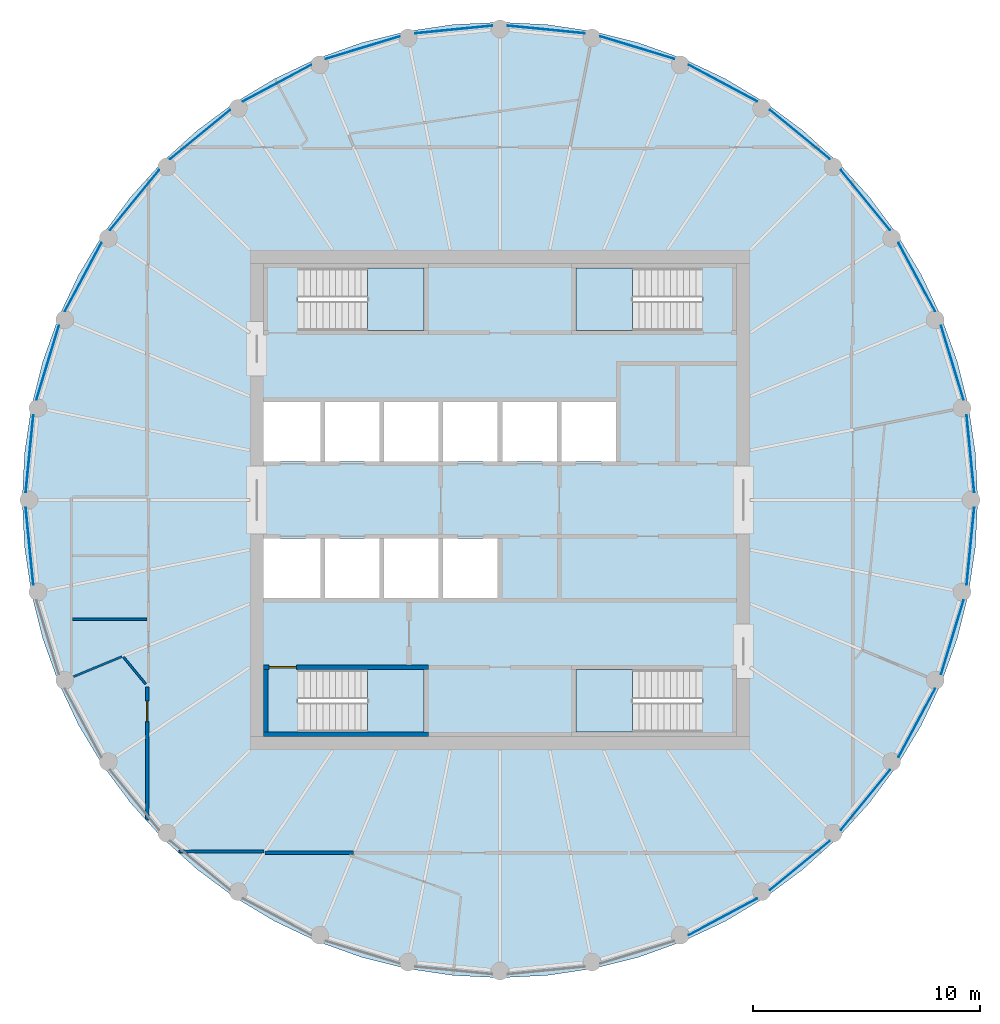
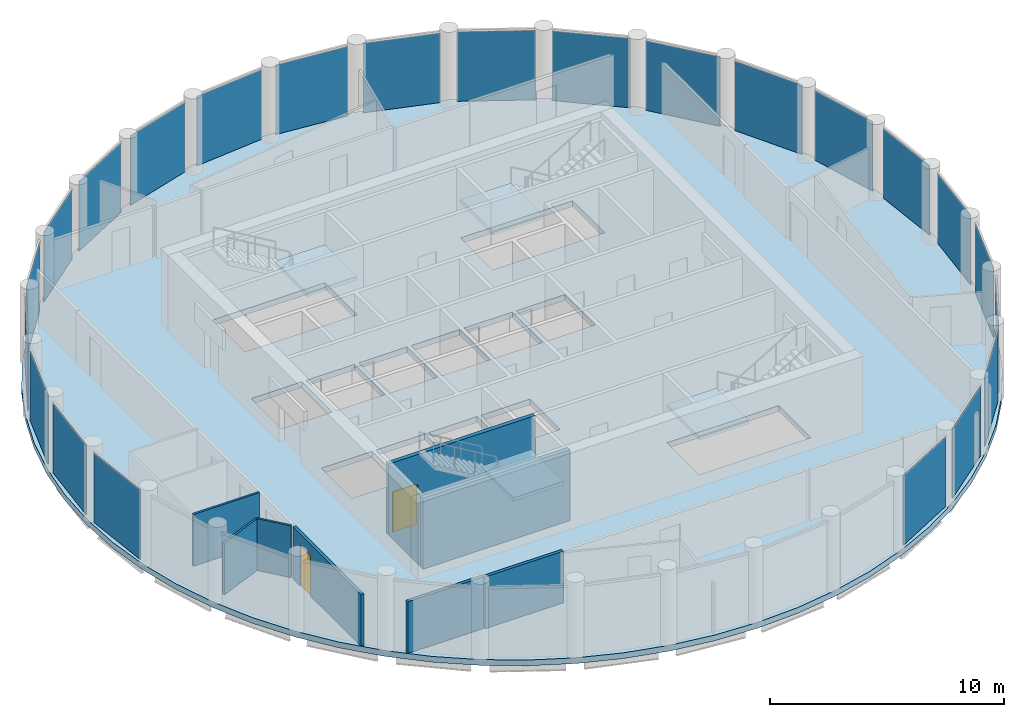
# One storey, part 3 of 7: 23 plates, 9 walls, 5 slabs, 2 doors, 2 openings, 27 elements without a shape of their own.
"""IFC4 building model written with IfcOpenShell, lengths in metres."""

from ifc_helpers import new_model, si_unit, direction, frame, frame_2d, origin, origin_2d, place, context, subcontext, project, spatial, polyline, rectangle, outline, extrude, material, layer, layer_set, type_object, element, fill, aggregate, save


model = new_model("IFC4")

# Units and contexts
model_context = context("Model", 3, precision=1e-05, world=origin(), true_north=direction((0.0, 1.0)))
body_context = subcontext(model_context, "Body", "Model", "MODEL_VIEW")
ifc_project = project(units=[si_unit("LENGTHUNIT", "METRE"), si_unit("AREAUNIT", "SQUARE_METRE"), si_unit("VOLUMEUNIT", "CUBIC_METRE"), si_unit("PLANEANGLEUNIT", "RADIAN"), si_unit("MASSUNIT", "GRAM", prefix="KILO")], contexts=[model_context])

# Site, building, storey
site_placement = place(None, origin())
site = spatial("IfcSite", under=ifc_project, at=site_placement, CompositionType="ELEMENT")
building_placement = place(site_placement, origin())
building = spatial("IfcBuilding", under=site, at=building_placement, Name="Corvane Civic Tower", CompositionType="ELEMENT")
storey_placement = place(building_placement, frame((0.0, 0.0, 344.5)))
storey = spatial("IfcBuildingStorey", under=building, at=storey_placement, Name="L82", CompositionType="ELEMENT", Elevation=344.5)

# Slab
ifc_material_1 = material(Name="Concrete C40/50", Category="concrete")
ifc_layer_1 = layer(ifc_material_1, 0.300048828125)
ifc_layer_set_1 = layer_set([ifc_layer_1], Name="Concrete C40/50")
slab_type_1 = type_object("IfcSlabType", Name="FLOOR SLAB 300", PredefinedType="FLOOR", material=ifc_layer_set_1)
slab_1_placement = place(storey_placement, frame((0.0, 0.0, -0.300048828125)))
element("IfcSlab", 1, at=slab_1_placement, inside=storey, type_object=slab_type_1, Name="SLB-L82", PredefinedType="FLOOR", context=body_context, shape_type="SweptSolid", body=[
    extrude(outline(polyline([(0.0, 21.0), (-2.058349609375, 20.89892578125), (-4.096923828125, 20.596435546875), (-6.095947265625, 20.095703125), (-8.036376953125, 19.4013671875), (-9.8994140625, 18.520263671875), (-11.6669921875, 17.4609375), (-13.322265625, 16.233154296875), (-14.84912109375, 14.84912109375), (-16.233154296875, 13.322265625), (-17.4609375, 11.6669921875), (-18.520263671875, 9.8994140625), (-19.4013671875, 8.036376953125), (-20.095703125, 6.095947265625), (-20.596435546875, 4.096923828125), (-20.89892578125, 2.058349609375), (-21.0, 0.0), (-20.89892578125, -2.058349609375), (-20.596435546875, -4.096923828125), (-20.095703125, -6.095947265625), (-19.4013671875, -8.036376953125), (-18.520263671875, -9.8994140625), (-17.4609375, -11.6669921875), (-16.233154296875, -13.322265625), (-14.84912109375, -14.84912109375), (-13.322265625, -16.233154296875), (-11.6669921875, -17.4609375), (-9.8994140625, -18.520263671875), (-8.036376953125, -19.4013671875), (-6.095947265625, -20.095703125), (-4.096923828125, -20.596435546875), (-2.058349609375, -20.89892578125), (0.0, -21.0), (2.058349609375, -20.89892578125), (4.096923828125, -20.596435546875), (6.095947265625, -20.095703125), (8.036376953125, -19.4013671875), (9.8994140625, -18.520263671875), (11.6669921875, -17.4609375), (13.322265625, -16.233154296875), (14.84912109375, -14.84912109375), (16.233154296875, -13.322265625), (17.4609375, -11.6669921875), (18.520263671875, -9.8994140625), (19.4013671875, -8.036376953125), (20.095703125, -6.095947265625), (20.596435546875, -4.096923828125), (20.89892578125, -2.058349609375), (21.0, 0.0), (20.89892578125, 2.058349609375), (20.596435546875, 4.096923828125), (20.095703125, 6.095947265625), (19.4013671875, 8.036376953125), (18.520263671875, 9.8994140625), (17.4609375, 11.6669921875), (16.233154296875, 13.322265625), (14.84912109375, 14.84912109375), (13.322265625, 16.233154296875), (11.6669921875, 17.4609375), (9.8994140625, 18.520263671875), (8.036376953125, 19.4013671875), (6.095947265625, 20.095703125), (4.096923828125, 20.596435546875), (2.058349609375, 20.89892578125), (0.0, 21.0)]), holes=[polyline([(-10.39990234375, 4.300048828125), (-7.89990234375, 4.300048828125), (-7.89990234375, 1.699951171875), (-10.39990234375, 1.699951171875), (-10.39990234375, 4.300048828125)]), polyline([(-5.300048828125, 1.699951171875), (-7.699951171875, 1.699951171875), (-7.699951171875, 4.300048828125), (-5.300048828125, 4.300048828125), (-5.300048828125, 1.699951171875)]), polyline([(-5.10009765625, 4.300048828125), (-2.699951171875, 4.300048828125), (-2.699951171875, 1.699951171875), (-5.10009765625, 1.699951171875), (-5.10009765625, 4.300048828125)]), polyline([(-0.10009765625, 1.699951171875), (-2.5, 1.699951171875), (-2.5, 4.300048828125), (-0.10009765625, 4.300048828125), (-0.10009765625, 1.699951171875)]), polyline([(2.5, 1.699951171875), (0.10009765625, 1.699951171875), (0.10009765625, 4.300048828125), (2.5, 4.300048828125), (2.5, 1.699951171875)]), polyline([(2.699951171875, 4.300048828125), (5.10009765625, 4.300048828125), (5.10009765625, 1.699951171875), (2.699951171875, 1.699951171875), (2.699951171875, 4.300048828125)]), polyline([(-10.39990234375, -1.699951171875), (-7.89990234375, -1.699951171875), (-7.89990234375, -4.300048828125), (-10.39990234375, -4.300048828125), (-10.39990234375, -1.699951171875)]), polyline([(-5.300048828125, -1.699951171875), (-5.300048828125, -4.300048828125), (-7.699951171875, -4.300048828125), (-7.699951171875, -1.699951171875), (-5.300048828125, -1.699951171875)]), polyline([(-2.699951171875, -1.699951171875), (-2.699951171875, -4.300048828125), (-5.10009765625, -4.300048828125), (-5.10009765625, -1.699951171875), (-2.699951171875, -1.699951171875)]), polyline([(-2.5, -4.300048828125), (-2.5, -1.699951171875), (-0.10009765625, -1.699951171875), (-0.10009765625, -4.300048828125), (-2.5, -4.300048828125)]), polyline([(8.889892578125, 10.199951171875), (8.889892578125, 7.449951171875), (3.35009765625, 7.449951171875), (3.35009765625, 10.199951171875), (8.889892578125, 10.199951171875)]), polyline([(-8.889892578125, 7.449951171875), (-8.889892578125, 10.199951171875), (-3.35009765625, 10.199951171875), (-3.35009765625, 7.449951171875), (-8.889892578125, 7.449951171875)]), polyline([(8.889892578125, -7.449951171875), (8.889892578125, -10.199951171875), (3.35009765625, -10.199951171875), (3.35009765625, -7.449951171875), (8.889892578125, -7.449951171875)]), polyline([(-8.889892578125, -10.199951171875), (-8.889892578125, -7.449951171875), (-3.35009765625, -7.449951171875), (-3.35009765625, -10.199951171875), (-8.889892578125, -10.199951171875)])]), origin(), (0.0, 0.0, 1.0), 0.300048828125),
])

# Stair, slab
ifc_material_2 = material(Name="Concrete C40/50", Category="concrete")
stair_type = type_object("IfcStairType", Name="ST-STAIR-HALFTURN", PredefinedType="HALF_TURN_STAIR", material=ifc_material_2)
stair_1_placement = place(storey_placement, origin())
stair_1 = element("IfcStair", 2, at=stair_1_placement, inside=storey, type_object=stair_type, Name="L82 Exit stair ST1", PredefinedType="HALF_TURN_STAIR")
ifc_material_3 = material(Name="Concrete C40/50", Category="concrete")
ifc_layer_2 = layer(ifc_material_3, 0.199951171875)
ifc_layer_set_2 = layer_set([ifc_layer_2], Name="Concrete C40/50")
slab_type_2 = type_object("IfcSlabType", Name="ST-LANDING-RC", PredefinedType="LANDING", material=ifc_layer_set_2)
slab_2_placement = place(storey_placement, frame((0.0, 0.0, 1.800048828125)))
slab_2 = element("IfcSlab", 3, at=slab_2_placement, type_object=slab_type_2, Name="ST1 landing 1", PredefinedType="LANDING", context=body_context, shape_type="SweptSolid", body=[
    extrude(outline(polyline([(5.820068359375, 10.199951171875), (3.35009765625, 10.199951171875), (3.35009765625, 7.449951171875), (5.820068359375, 7.449951171875), (5.820068359375, 10.199951171875)])), origin(), (0.0, 0.0, 1.0), 0.199951171875),
])
aggregate(stair_1, [slab_2])

stair_2_placement = place(storey_placement, origin())
stair_2 = element("IfcStair", 4, at=stair_2_placement, inside=storey, type_object=stair_type, Name="L82 Exit stair ST2", PredefinedType="HALF_TURN_STAIR")
slab_3_placement = place(storey_placement, frame((0.0, 0.0, 1.800048828125)))
slab_3 = element("IfcSlab", 5, at=slab_3_placement, type_object=slab_type_2, Name="ST2 landing 1", PredefinedType="LANDING", context=body_context, shape_type="SweptSolid", body=[
    extrude(outline(polyline([(5.820068359375, -7.449951171875), (3.35009765625, -7.449951171875), (3.35009765625, -10.199951171875), (5.820068359375, -10.199951171875), (5.820068359375, -7.449951171875)])), origin(), (0.0, 0.0, 1.0), 0.199951171875),
])
aggregate(stair_2, [slab_3])

stair_3_placement = place(storey_placement, origin())
stair_3 = element("IfcStair", 6, at=stair_3_placement, inside=storey, type_object=stair_type, Name="L82 Exit stair ST3", PredefinedType="HALF_TURN_STAIR")
slab_4_placement = place(storey_placement, frame((0.0, 0.0, 1.800048828125)))
slab_4 = element("IfcSlab", 7, at=slab_4_placement, type_object=slab_type_2, Name="ST3 landing 1", PredefinedType="LANDING", context=body_context, shape_type="SweptSolid", body=[
    extrude(outline(polyline([(-5.820068359375, -10.199951171875), (-3.35009765625, -10.199951171875), (-3.35009765625, -7.449951171875), (-5.820068359375, -7.449951171875), (-5.820068359375, -10.199951171875)])), origin(), (0.0, 0.0, 1.0), 0.199951171875),
])
aggregate(stair_3, [slab_4])

stair_4_placement = place(storey_placement, origin())
stair_4 = element("IfcStair", 8, at=stair_4_placement, inside=storey, type_object=stair_type, Name="L82 Exit stair ST4", PredefinedType="HALF_TURN_STAIR")
slab_5_placement = place(storey_placement, frame((0.0, 0.0, 1.800048828125)))
slab_5 = element("IfcSlab", 9, at=slab_5_placement, type_object=slab_type_2, Name="ST4 landing 1", PredefinedType="LANDING", context=body_context, shape_type="SweptSolid", body=[
    extrude(outline(polyline([(-5.820068359375, 7.449951171875), (-3.35009765625, 7.449951171875), (-3.35009765625, 10.199951171875), (-5.820068359375, 10.199951171875), (-5.820068359375, 7.449951171875)])), origin(), (0.0, 0.0, 1.0), 0.199951171875),
])
aggregate(stair_4, [slab_5])

# Curtain wall, plate
ifc_material_4 = material(Name="Anodised aluminium bronze", Category="aluminium")
curtain_wall_type = type_object("IfcCurtainWallType", Name="TOWER CW-T3 STICK CURTAIN WALL", PredefinedType="NOTDEFINED", material=ifc_material_4)
curtain_wall_1_placement = place(storey_placement, origin())
curtain_wall_1 = element("IfcCurtainWall", 10, at=curtain_wall_1_placement, inside=storey, type_object=curtain_wall_type, Name="Curtain wall CW-T3 L82 bay 01", PredefinedType="NOTDEFINED")
ifc_material_5 = material(Name="Tinted glass", Category="glass")
ifc_layer_3 = layer(ifc_material_5, 0.028076171875)
ifc_layer_set_3 = layer_set([ifc_layer_3], Name="Tinted glass")
plate_type = type_object("IfcPlateType", Name="TOWER CW-T3 PANEL IGU28", PredefinedType="CURTAIN_PANEL", material=ifc_layer_set_3)
plate_1_placement = place(storey_placement, frame((2.03662109375, 20.679443359375, 0.0), z_axis=(0.0, 0.0, 1.0), x_axis=(0.995186641028, -0.097997701601, 0.0)))
plate_1 = element("IfcPlate", 11, at=plate_1_placement, type_object=plate_type, Name="Glass panel CW-T3 L82 01.1", PredefinedType="CURTAIN_PANEL", context=body_context, shape_type="SweptSolid", body=[
    extrude(rectangle(XDim=3.402587890625, YDim=0.028076171875, at=origin_2d()), origin(), (0.0, 0.0, 1.0), 3.6298828125),
])
aggregate(curtain_wall_1, [plate_1])

curtain_wall_2_placement = place(storey_placement, origin())
curtain_wall_2 = element("IfcCurtainWall", 12, at=curtain_wall_2_placement, inside=storey, type_object=curtain_wall_type, Name="Curtain wall CW-T3 L82 bay 02", PredefinedType="NOTDEFINED")
plate_2_placement = place(storey_placement, frame((6.031982421875, 19.884765625, 0.0), z_axis=(0.0, 0.0, 1.0), x_axis=(0.956938582641, -0.290290456359, 0.0)))
plate_2 = element("IfcPlate", 13, at=plate_2_placement, type_object=plate_type, Name="Glass panel CW-T3 L82 02.1", PredefinedType="CURTAIN_PANEL", context=body_context, shape_type="SweptSolid", body=[
    extrude(rectangle(XDim=3.40283203125, YDim=0.028076171875, at=origin_2d()), origin(), (0.0, 0.0, 1.0), 3.6298828125),
])
aggregate(curtain_wall_2, [plate_2])

curtain_wall_3_placement = place(storey_placement, origin())
curtain_wall_3 = element("IfcCurtainWall", 14, at=curtain_wall_3_placement, inside=storey, type_object=curtain_wall_type, Name="Curtain wall CW-T3 L82 bay 03", PredefinedType="NOTDEFINED")
plate_3_placement = place(storey_placement, frame((9.79541015625, 18.325927734375, 0.0), z_axis=(0.0, 0.0, 1.0), x_axis=(0.88192824848, -0.471383670202, 0.0)))
plate_3 = element("IfcPlate", 15, at=plate_3_placement, type_object=plate_type, Name="Glass panel CW-T3 L82 03.1", PredefinedType="CURTAIN_PANEL", context=body_context, shape_type="SweptSolid", body=[
    extrude(rectangle(XDim=3.40234375, YDim=0.028076171875, at=origin_2d()), origin(), (0.0, 0.0, 1.0), 3.6298828125),
])
aggregate(curtain_wall_3, [plate_3])

curtain_wall_4_placement = place(storey_placement, origin())
curtain_wall_4 = element("IfcCurtainWall", 16, at=curtain_wall_4_placement, inside=storey, type_object=curtain_wall_type, Name="Curtain wall CW-T3 L82 bay 04", PredefinedType="NOTDEFINED")
plate_4_placement = place(storey_placement, frame((13.182373046875, 16.062744140625, 0.0), z_axis=(0.0, 0.0, 1.0), x_axis=(0.773010369391, -0.634393386484, 0.0)))
plate_4 = element("IfcPlate", 17, at=plate_4_placement, type_object=plate_type, Name="Glass panel CW-T3 L82 04.1", PredefinedType="CURTAIN_PANEL", context=body_context, shape_type="SweptSolid", body=[
    extrude(rectangle(XDim=3.402587890625, YDim=0.028076171875, at=origin_2d()), origin(), (0.0, 0.0, 1.0), 3.6298828125),
])
aggregate(curtain_wall_4, [plate_4])

curtain_wall_5_placement = place(storey_placement, origin())
curtain_wall_5 = element("IfcCurtainWall", 18, at=curtain_wall_5_placement, inside=storey, type_object=curtain_wall_type, Name="Curtain wall CW-T3 L82 bay 05", PredefinedType="NOTDEFINED")
plate_5_placement = place(storey_placement, frame((16.062744140625, 13.182373046875, 0.0), z_axis=(0.0, 0.0, 1.0), x_axis=(0.634393386484, -0.773010369391, 0.0)))
plate_5 = element("IfcPlate", 19, at=plate_5_placement, type_object=plate_type, Name="Glass panel CW-T3 L82 05.1", PredefinedType="CURTAIN_PANEL", context=body_context, shape_type="SweptSolid", body=[
    extrude(rectangle(XDim=3.402587890625, YDim=0.028076171875, at=origin_2d()), origin(), (0.0, 0.0, 1.0), 3.6298828125),
])
aggregate(curtain_wall_5, [plate_5])

curtain_wall_6_placement = place(storey_placement, origin())
curtain_wall_6 = element("IfcCurtainWall", 20, at=curtain_wall_6_placement, inside=storey, type_object=curtain_wall_type, Name="Curtain wall CW-T3 L82 bay 06", PredefinedType="NOTDEFINED")
plate_6_placement = place(storey_placement, frame((18.325927734375, 9.79541015625, 0.0), z_axis=(0.0, 0.0, 1.0), x_axis=(0.471383670202, -0.88192824848, 0.0)))
plate_6 = element("IfcPlate", 21, at=plate_6_placement, type_object=plate_type, Name="Glass panel CW-T3 L82 06.1", PredefinedType="CURTAIN_PANEL", context=body_context, shape_type="SweptSolid", body=[
    extrude(rectangle(XDim=3.40234375, YDim=0.028076171875, at=origin_2d()), origin(), (0.0, 0.0, 1.0), 3.6298828125),
])
aggregate(curtain_wall_6, [plate_6])

curtain_wall_7_placement = place(storey_placement, origin())
curtain_wall_7 = element("IfcCurtainWall", 22, at=curtain_wall_7_placement, inside=storey, type_object=curtain_wall_type, Name="Curtain wall CW-T3 L82 bay 07", PredefinedType="NOTDEFINED")
plate_7_placement = place(storey_placement, frame((19.884765625, 6.031982421875, 0.0), z_axis=(0.0, 0.0, 1.0), x_axis=(0.290290456359, -0.956938582641, 0.0)))
plate_7 = element("IfcPlate", 23, at=plate_7_placement, type_object=plate_type, Name="Glass panel CW-T3 L82 07.1", PredefinedType="CURTAIN_PANEL", context=body_context, shape_type="SweptSolid", body=[
    extrude(rectangle(XDim=3.40283203125, YDim=0.028076171875, at=origin_2d()), origin(), (0.0, 0.0, 1.0), 3.6298828125),
])
aggregate(curtain_wall_7, [plate_7])

curtain_wall_8_placement = place(storey_placement, origin())
curtain_wall_8 = element("IfcCurtainWall", 24, at=curtain_wall_8_placement, inside=storey, type_object=curtain_wall_type, Name="Curtain wall CW-T3 L82 bay 08", PredefinedType="NOTDEFINED")
plate_8_placement = place(storey_placement, frame((20.679443359375, 2.03662109375, 0.0), z_axis=(0.0, 0.0, 1.0), x_axis=(0.097997701601, -0.995186641028, 0.0)))
plate_8 = element("IfcPlate", 25, at=plate_8_placement, type_object=plate_type, Name="Glass panel CW-T3 L82 08.1", PredefinedType="CURTAIN_PANEL", context=body_context, shape_type="SweptSolid", body=[
    extrude(rectangle(XDim=3.402587890625, YDim=0.028076171875, at=origin_2d()), origin(), (0.0, 0.0, 1.0), 3.6298828125),
])
aggregate(curtain_wall_8, [plate_8])

curtain_wall_9_placement = place(storey_placement, origin())
curtain_wall_9 = element("IfcCurtainWall", 26, at=curtain_wall_9_placement, inside=storey, type_object=curtain_wall_type, Name="Curtain wall CW-T3 L82 bay 09", PredefinedType="NOTDEFINED")
plate_9_placement = place(storey_placement, frame((20.679443359375, -2.03662109375, 0.0), z_axis=(0.0, 0.0, 1.0), x_axis=(-0.097997701601, -0.995186641028, 0.0)))
plate_9 = element("IfcPlate", 27, at=plate_9_placement, type_object=plate_type, Name="Glass panel CW-T3 L82 09.1", PredefinedType="CURTAIN_PANEL", context=body_context, shape_type="SweptSolid", body=[
    extrude(rectangle(XDim=3.402587890625, YDim=0.028076171875, at=origin_2d()), origin(), (0.0, 0.0, 1.0), 3.6298828125),
])
aggregate(curtain_wall_9, [plate_9])

curtain_wall_10_placement = place(storey_placement, origin())
curtain_wall_10 = element("IfcCurtainWall", 28, at=curtain_wall_10_placement, inside=storey, type_object=curtain_wall_type, Name="Curtain wall CW-T3 L82 bay 10", PredefinedType="NOTDEFINED")
plate_10_placement = place(storey_placement, frame((19.884765625, -6.031982421875, 0.0), z_axis=(0.0, 0.0, 1.0), x_axis=(-0.290290456359, -0.956938582641, 0.0)))
plate_10 = element("IfcPlate", 29, at=plate_10_placement, type_object=plate_type, Name="Glass panel CW-T3 L82 10.1", PredefinedType="CURTAIN_PANEL", context=body_context, shape_type="SweptSolid", body=[
    extrude(rectangle(XDim=3.40283203125, YDim=0.028076171875, at=origin_2d()), origin(), (0.0, 0.0, 1.0), 3.6298828125),
])
aggregate(curtain_wall_10, [plate_10])

curtain_wall_11_placement = place(storey_placement, origin())
curtain_wall_11 = element("IfcCurtainWall", 30, at=curtain_wall_11_placement, inside=storey, type_object=curtain_wall_type, Name="Curtain wall CW-T3 L82 bay 11", PredefinedType="NOTDEFINED")
plate_11_placement = place(storey_placement, frame((18.325927734375, -9.79541015625, 0.0), z_axis=(0.0, 0.0, 1.0), x_axis=(-0.471383670202, -0.88192824848, 0.0)))
plate_11 = element("IfcPlate", 31, at=plate_11_placement, type_object=plate_type, Name="Glass panel CW-T3 L82 11.1", PredefinedType="CURTAIN_PANEL", context=body_context, shape_type="SweptSolid", body=[
    extrude(rectangle(XDim=3.40234375, YDim=0.028076171875, at=origin_2d()), origin(), (0.0, 0.0, 1.0), 3.6298828125),
])
aggregate(curtain_wall_11, [plate_11])

curtain_wall_12_placement = place(storey_placement, origin())
curtain_wall_12 = element("IfcCurtainWall", 32, at=curtain_wall_12_placement, inside=storey, type_object=curtain_wall_type, Name="Curtain wall CW-T3 L82 bay 12", PredefinedType="NOTDEFINED")
plate_12_placement = place(storey_placement, frame((16.062744140625, -13.182373046875, 0.0), z_axis=(0.0, 0.0, 1.0), x_axis=(-0.634393386484, -0.773010369391, 0.0)))
plate_12 = element("IfcPlate", 33, at=plate_12_placement, type_object=plate_type, Name="Glass panel CW-T3 L82 12.1", PredefinedType="CURTAIN_PANEL", context=body_context, shape_type="SweptSolid", body=[
    extrude(rectangle(XDim=3.402587890625, YDim=0.028076171875, at=origin_2d()), origin(), (0.0, 0.0, 1.0), 3.6298828125),
])
aggregate(curtain_wall_12, [plate_12])

curtain_wall_13_placement = place(storey_placement, origin())
curtain_wall_13 = element("IfcCurtainWall", 34, at=curtain_wall_13_placement, inside=storey, type_object=curtain_wall_type, Name="Curtain wall CW-T3 L82 bay 13", PredefinedType="NOTDEFINED")
plate_13_placement = place(storey_placement, frame((13.182373046875, -16.062744140625, 0.0), z_axis=(0.0, 0.0, 1.0), x_axis=(-0.773010369391, -0.634393386484, 0.0)))
plate_13 = element("IfcPlate", 35, at=plate_13_placement, type_object=plate_type, Name="Glass panel CW-T3 L82 13.1", PredefinedType="CURTAIN_PANEL", context=body_context, shape_type="SweptSolid", body=[
    extrude(rectangle(XDim=3.402587890625, YDim=0.028076171875, at=origin_2d()), origin(), (0.0, 0.0, 1.0), 3.6298828125),
])
aggregate(curtain_wall_13, [plate_13])

curtain_wall_14_placement = place(storey_placement, origin())
curtain_wall_14 = element("IfcCurtainWall", 36, at=curtain_wall_14_placement, inside=storey, type_object=curtain_wall_type, Name="Curtain wall CW-T3 L82 bay 14", PredefinedType="NOTDEFINED")
plate_14_placement = place(storey_placement, frame((9.79541015625, -18.325927734375, 0.0), z_axis=(0.0, 0.0, 1.0), x_axis=(-0.88192824848, -0.471383670202, 0.0)))
plate_14 = element("IfcPlate", 37, at=plate_14_placement, type_object=plate_type, Name="Glass panel CW-T3 L82 14.1", PredefinedType="CURTAIN_PANEL", context=body_context, shape_type="SweptSolid", body=[
    extrude(rectangle(XDim=3.40234375, YDim=0.028076171875, at=origin_2d()), origin(), (0.0, 0.0, 1.0), 3.6298828125),
])
aggregate(curtain_wall_14, [plate_14])

curtain_wall_15_placement = place(storey_placement, origin())
curtain_wall_15 = element("IfcCurtainWall", 38, at=curtain_wall_15_placement, inside=storey, type_object=curtain_wall_type, Name="Curtain wall CW-T3 L82 bay 24", PredefinedType="NOTDEFINED")
plate_15_placement = place(storey_placement, frame((-20.679443359375, -2.03662109375, 0.0), z_axis=(0.0, 0.0, 1.0), x_axis=(-0.097997701601, 0.995186641028, 0.0)))
plate_15 = element("IfcPlate", 39, at=plate_15_placement, type_object=plate_type, Name="Glass panel CW-T3 L82 24.1", PredefinedType="CURTAIN_PANEL", context=body_context, shape_type="SweptSolid", body=[
    extrude(rectangle(XDim=3.402587890625, YDim=0.028076171875, at=origin_2d()), origin(), (0.0, 0.0, 1.0), 3.6298828125),
])
aggregate(curtain_wall_15, [plate_15])

curtain_wall_16_placement = place(storey_placement, origin())
curtain_wall_16 = element("IfcCurtainWall", 40, at=curtain_wall_16_placement, inside=storey, type_object=curtain_wall_type, Name="Curtain wall CW-T3 L82 bay 25", PredefinedType="NOTDEFINED")
plate_16_placement = place(storey_placement, frame((-20.679443359375, 2.03662109375, 0.0), z_axis=(0.0, 0.0, 1.0), x_axis=(0.097997701601, 0.995186641028, 0.0)))
plate_16 = element("IfcPlate", 41, at=plate_16_placement, type_object=plate_type, Name="Glass panel CW-T3 L82 25.1", PredefinedType="CURTAIN_PANEL", context=body_context, shape_type="SweptSolid", body=[
    extrude(rectangle(XDim=3.402587890625, YDim=0.028076171875, at=origin_2d()), origin(), (0.0, 0.0, 1.0), 3.6298828125),
])
aggregate(curtain_wall_16, [plate_16])

curtain_wall_17_placement = place(storey_placement, origin())
curtain_wall_17 = element("IfcCurtainWall", 42, at=curtain_wall_17_placement, inside=storey, type_object=curtain_wall_type, Name="Curtain wall CW-T3 L82 bay 26", PredefinedType="NOTDEFINED")
plate_17_placement = place(storey_placement, frame((-19.884765625, 6.031982421875, 0.0), z_axis=(0.0, 0.0, 1.0), x_axis=(0.290290456359, 0.956938582641, 0.0)))
plate_17 = element("IfcPlate", 43, at=plate_17_placement, type_object=plate_type, Name="Glass panel CW-T3 L82 26.1", PredefinedType="CURTAIN_PANEL", context=body_context, shape_type="SweptSolid", body=[
    extrude(rectangle(XDim=3.40283203125, YDim=0.028076171875, at=origin_2d()), origin(), (0.0, 0.0, 1.0), 3.6298828125),
])
aggregate(curtain_wall_17, [plate_17])

curtain_wall_18_placement = place(storey_placement, origin())
curtain_wall_18 = element("IfcCurtainWall", 44, at=curtain_wall_18_placement, inside=storey, type_object=curtain_wall_type, Name="Curtain wall CW-T3 L82 bay 27", PredefinedType="NOTDEFINED")
plate_18_placement = place(storey_placement, frame((-18.325927734375, 9.79541015625, 0.0), z_axis=(0.0, 0.0, 1.0), x_axis=(0.471383670202, 0.88192824848, 0.0)))
plate_18 = element("IfcPlate", 45, at=plate_18_placement, type_object=plate_type, Name="Glass panel CW-T3 L82 27.1", PredefinedType="CURTAIN_PANEL", context=body_context, shape_type="SweptSolid", body=[
    extrude(rectangle(XDim=3.40234375, YDim=0.028076171875, at=origin_2d()), origin(), (0.0, 0.0, 1.0), 3.6298828125),
])
aggregate(curtain_wall_18, [plate_18])

curtain_wall_19_placement = place(storey_placement, origin())
curtain_wall_19 = element("IfcCurtainWall", 46, at=curtain_wall_19_placement, inside=storey, type_object=curtain_wall_type, Name="Curtain wall CW-T3 L82 bay 28", PredefinedType="NOTDEFINED")
plate_19_placement = place(storey_placement, frame((-16.062744140625, 13.182373046875, 0.0), z_axis=(0.0, 0.0, 1.0), x_axis=(0.634393386484, 0.773010369391, 0.0)))
plate_19 = element("IfcPlate", 47, at=plate_19_placement, type_object=plate_type, Name="Glass panel CW-T3 L82 28.1", PredefinedType="CURTAIN_PANEL", context=body_context, shape_type="SweptSolid", body=[
    extrude(rectangle(XDim=3.402587890625, YDim=0.028076171875, at=origin_2d()), origin(), (0.0, 0.0, 1.0), 3.6298828125),
])
aggregate(curtain_wall_19, [plate_19])

curtain_wall_20_placement = place(storey_placement, origin())
curtain_wall_20 = element("IfcCurtainWall", 48, at=curtain_wall_20_placement, inside=storey, type_object=curtain_wall_type, Name="Curtain wall CW-T3 L82 bay 29", PredefinedType="NOTDEFINED")
plate_20_placement = place(storey_placement, frame((-13.182373046875, 16.062744140625, 0.0), z_axis=(0.0, 0.0, 1.0), x_axis=(0.773010369391, 0.634393386484, 0.0)))
plate_20 = element("IfcPlate", 49, at=plate_20_placement, type_object=plate_type, Name="Glass panel CW-T3 L82 29.1", PredefinedType="CURTAIN_PANEL", context=body_context, shape_type="SweptSolid", body=[
    extrude(rectangle(XDim=3.402587890625, YDim=0.028076171875, at=origin_2d()), origin(), (0.0, 0.0, 1.0), 3.6298828125),
])
aggregate(curtain_wall_20, [plate_20])

curtain_wall_21_placement = place(storey_placement, origin())
curtain_wall_21 = element("IfcCurtainWall", 50, at=curtain_wall_21_placement, inside=storey, type_object=curtain_wall_type, Name="Curtain wall CW-T3 L82 bay 30", PredefinedType="NOTDEFINED")
plate_21_placement = place(storey_placement, frame((-9.79541015625, 18.325927734375, 0.0), z_axis=(0.0, 0.0, 1.0), x_axis=(0.88192824848, 0.471383670202, 0.0)))
plate_21 = element("IfcPlate", 51, at=plate_21_placement, type_object=plate_type, Name="Glass panel CW-T3 L82 30.1", PredefinedType="CURTAIN_PANEL", context=body_context, shape_type="SweptSolid", body=[
    extrude(rectangle(XDim=3.40234375, YDim=0.028076171875, at=origin_2d()), origin(), (0.0, 0.0, 1.0), 3.6298828125),
])
aggregate(curtain_wall_21, [plate_21])

curtain_wall_22_placement = place(storey_placement, origin())
curtain_wall_22 = element("IfcCurtainWall", 52, at=curtain_wall_22_placement, inside=storey, type_object=curtain_wall_type, Name="Curtain wall CW-T3 L82 bay 31", PredefinedType="NOTDEFINED")
plate_22_placement = place(storey_placement, frame((-6.031982421875, 19.884765625, 0.0), z_axis=(0.0, 0.0, 1.0), x_axis=(0.956938582641, 0.290290456359, 0.0)))
plate_22 = element("IfcPlate", 53, at=plate_22_placement, type_object=plate_type, Name="Glass panel CW-T3 L82 31.1", PredefinedType="CURTAIN_PANEL", context=body_context, shape_type="SweptSolid", body=[
    extrude(rectangle(XDim=3.40283203125, YDim=0.028076171875, at=origin_2d()), origin(), (0.0, 0.0, 1.0), 3.6298828125),
])
aggregate(curtain_wall_22, [plate_22])

curtain_wall_23_placement = place(storey_placement, origin())
curtain_wall_23 = element("IfcCurtainWall", 54, at=curtain_wall_23_placement, inside=storey, type_object=curtain_wall_type, Name="Curtain wall CW-T3 L82 bay 32", PredefinedType="NOTDEFINED")
plate_23_placement = place(storey_placement, frame((-2.03662109375, 20.679443359375, 0.0), z_axis=(0.0, 0.0, 1.0), x_axis=(0.995186641028, 0.097997701601, 0.0)))
plate_23 = element("IfcPlate", 55, at=plate_23_placement, type_object=plate_type, Name="Glass panel CW-T3 L82 32.1", PredefinedType="CURTAIN_PANEL", context=body_context, shape_type="SweptSolid", body=[
    extrude(rectangle(XDim=3.402587890625, YDim=0.028076171875, at=origin_2d()), origin(), (0.0, 0.0, 1.0), 3.6298828125),
])
aggregate(curtain_wall_23, [plate_23])

# Walls
ifc_material_6 = material(Name="Plasterboard")
ifc_layer_4 = layer(ifc_material_6, 0.10009765625)
ifc_layer_set_4 = layer_set([ifc_layer_4], Name="Plasterboard")
wall_type_1 = type_object("IfcWallType", Name="Partition 100 plasterboard on studs", PredefinedType="PARTITIONING", material=ifc_layer_set_4)
wall_1_placement = place(storey_placement, frame((-16.556884765625, -6.896484375, 0.0), z_axis=(0.0, 0.0, 1.0), x_axis=(0.634435493001, -0.772975811537, 0.0)))
element("IfcWall", 56, at=wall_1_placement, inside=storey, type_object=wall_type_1, Name="Partition L82.010", PredefinedType="PARTITIONING", context=body_context, shape_type="SweptSolid", body=[
    extrude(rectangle(XDim=1.5419921875, YDim=0.10009765625, at=frame_2d((0.77099609375, 0.0))), origin(), (0.0, 0.0, 1.0), 2.699951171875),
])
wall_2_placement = place(storey_placement, frame((-18.74560546875, -7.7646484375, 0.0), z_axis=(0.0, 0.0, 1.0), x_axis=(0.923889111951, 0.382660304732, 0.0)))
element("IfcWall", 57, at=wall_2_placement, inside=storey, type_object=wall_type_1, Name="Partition L82.012", PredefinedType="PARTITIONING", context=body_context, shape_type="SweptSolid", body=[
    extrude(rectangle(XDim=2.306396484375, YDim=0.10009765625, at=frame_2d((1.1533203125, 0.0))), origin(), (0.0, 0.0, 1.0), 2.699951171875),
])
wall_3_placement = place(storey_placement, frame((-18.800048828125, -5.245361328125, 0.0), z_axis=(0.0, 0.0, 1.0), x_axis=(1.0, 0.0, 0.0)))
element("IfcWall", 58, at=wall_3_placement, inside=storey, type_object=wall_type_1, Name="Partition L82.016", PredefinedType="PARTITIONING", context=body_context, shape_type="SweptSolid", body=[
    extrude(rectangle(XDim=3.275146484375, YDim=0.10009765625, at=frame_2d((1.6376953125, 0.0))), origin(), (0.0, 0.0, 1.0), 2.699951171875),
])

# Wall, opening, door
ifc_material_7 = material(Name="Concrete C50/60", Category="concrete")
ifc_layer_5 = layer(ifc_material_7, 0.199951171875)
ifc_layer_set_5 = layer_set([ifc_layer_5], Name="Concrete C50/60")
wall_type_2 = type_object("IfcWallType", Name="ST-WALL-200", PredefinedType="SHEAR", material=ifc_layer_set_5)
wall_4_placement = place(storey_placement, frame((-10.39990234375, -7.35009765625, 0.0), z_axis=(0.0, 0.0, 1.0), x_axis=(1.0, 0.0, 0.0)))
wall_4 = element("IfcWall", 59, at=wall_4_placement, inside=storey, type_object=wall_type_2, Name="L82 stair enclosure wall", PredefinedType="SHEAR", context=body_context, shape_type="SweptSolid", body=[
    extrude(rectangle(XDim=7.25, YDim=0.199951171875, at=frame_2d((3.625, 0.0))), origin(), (0.0, 0.0, 1.0), 3.699951171875),
])
opening_1_placement = place(wall_4_placement, frame((0.25, 0.0, 0.0)))
opening_1 = element("IfcOpeningElement", 60, at=opening_1_placement, cuts=wall_4, Name="Opening L82.C10", PredefinedType="OPENING", context=body_context, shape_type="SweptSolid", body=[
    extrude(rectangle(XDim=1.199951171875, YDim=2.10009765625, at=frame_2d((0.60009765625, 1.050048828125))), frame((0.0, 0.10986328125, 0.0), z_axis=(0.0, -1.0, 0.0), x_axis=(1.0, 0.0, 0.0)), (0.0, 0.0, 1.0), 0.219970703125),
])
ifc_material_8 = material(Name="Steel fire door leaf", Category="steel")
door_type_1 = type_object("IfcDoorType", Name="ST-DOOR-1200", OperationType="SINGLE_SWING_RIGHT", PredefinedType="DOOR", material=ifc_material_8)
door_1_placement = place(opening_1_placement, origin())
door_1 = element("IfcDoor", 61, at=door_1_placement, inside=storey, type_object=door_type_1, Name="L82 stair door", OperationType="SINGLE_SWING_RIGHT", OverallHeight=2.10009765625, OverallWidth=1.199951171875, PredefinedType="DOOR", context=body_context, shape_type="SweptSolid", body=[
    extrude(rectangle(XDim=1.199951171875, YDim=2.10009765625, at=frame_2d((0.60009765625, 1.050048828125))), frame((0.0, 0.02490234375, 0.0), z_axis=(0.0, -1.0, 0.0), x_axis=(1.0, 0.0, 0.0)), (0.0, 0.0, 1.0), 0.050048828125),
])
fill(opening_1, door_1)

# Walls
wall_5_placement = place(storey_placement, origin())
element("IfcWall", 62, at=wall_5_placement, inside=storey, type_object=wall_type_2, Name="L82 stair enclosure wall", PredefinedType="SHEAR", context=body_context, shape_type="SweptSolid", body=[
    extrude(outline(polyline([(-3.14990234375, -10.199951171875), (-3.14990234375, -10.39990234375), (-10.39990234375, -10.39990234375), (-10.39990234375, -10.199951171875), (-3.14990234375, -10.199951171875)])), origin(), (0.0, 0.0, 1.0), 3.699951171875),
])
wall_6_placement = place(storey_placement, origin())
element("IfcWall", 63, at=wall_6_placement, inside=storey, type_object=wall_type_2, Name="L82 stair enclosure wall", PredefinedType="SHEAR", context=body_context, shape_type="SweptSolid", body=[
    extrude(outline(polyline([(-10.199951171875, -7.449951171875), (-10.199951171875, -10.199951171875), (-10.39990234375, -10.199951171875), (-10.39990234375, -7.449951171875), (-10.199951171875, -7.449951171875)])), origin(), (0.0, 0.0, 1.0), 3.699951171875),
])
ifc_material_9 = material(Name="Plasterboard")
ifc_layer_6 = layer(ifc_material_9, 0.14990234375)
ifc_layer_set_6 = layer_set([ifc_layer_6], Name="Plasterboard")
wall_type_3 = type_object("IfcWallType", Name="Tenancy wall 150 EI 60", PredefinedType="PARTITIONING", material=ifc_layer_set_6)
wall_7_placement = place(storey_placement, frame((-10.330810546875, -15.5, 0.0), z_axis=(0.0, 0.0, 1.0), x_axis=(1.0, 0.0, 0.0)))
element("IfcWall", 64, at=wall_7_placement, inside=storey, type_object=wall_type_3, Name="Partition L82.003", PredefinedType="PARTITIONING", context=body_context, shape_type="SweptSolid", body=[
    extrude(rectangle(XDim=3.883544921875, YDim=0.14990234375, at=frame_2d((1.94189453125, 0.0))), origin(), (0.0, 0.0, 1.0), 2.699951171875),
])
wall_8_placement = place(storey_placement, frame((-14.1123046875, -15.449951171875, 0.0), z_axis=(0.0, 0.0, 1.0), x_axis=(1.0, 0.0, 0.0)))
element("IfcWall", 65, at=wall_8_placement, inside=storey, type_object=wall_type_3, Name="Partition L82.006", PredefinedType="PARTITIONING", context=body_context, shape_type="SweptSolid", body=[
    extrude(rectangle(XDim=3.7314453125, YDim=0.14990234375, at=frame_2d((1.86572265625, 0.0))), origin(), (0.0, 0.0, 1.0), 2.699951171875),
])

# Wall, opening, door
wall_9_placement = place(storey_placement, frame((-15.5, -14.05712890625, 0.0), z_axis=(0.0, 0.0, 1.0), x_axis=(0.0, 1.0, 0.0)))
wall_9 = element("IfcWall", 66, at=wall_9_placement, inside=storey, type_object=wall_type_3, Name="Partition L82.008", PredefinedType="PARTITIONING", context=body_context, shape_type="SweptSolid", body=[
    extrude(rectangle(XDim=5.845947265625, YDim=0.14990234375, at=frame_2d((2.9228515625, 0.0))), origin(), (0.0, 0.0, 1.0), 2.699951171875),
])
opening_2_placement = place(wall_9_placement, frame((4.316162109375, 0.0, 0.0)))
opening_2 = element("IfcOpeningElement", 67, at=opening_2_placement, cuts=wall_9, Name="Opening L82.006", PredefinedType="OPENING", context=body_context, shape_type="SweptSolid", body=[
    extrude(rectangle(XDim=0.89990234375, YDim=2.10009765625, at=frame_2d((0.449951171875, 1.050048828125))), frame((0.0, 0.0849609375, 0.0), z_axis=(0.0, -1.0, 0.0), x_axis=(1.0, 0.0, 0.0)), (0.0, 0.0, 1.0), 0.169921875),
])
ifc_material_10 = material(Name="Steel and timber", Category="steel")
door_type_2 = type_object("IfcDoorType", Name="Fire door FD30S 900", OperationType="NOTDEFINED", PredefinedType="DOOR", material=ifc_material_10)
door_2_placement = place(opening_2_placement, origin())
door_2 = element("IfcDoor", 68, at=door_2_placement, inside=storey, type_object=door_type_2, Name="Door L82.006", OperationType="SINGLE_SWING_RIGHT", OverallHeight=2.10009765625, OverallWidth=0.89990234375, PredefinedType="DOOR", context=body_context, shape_type="SweptSolid", body=[
    extrude(rectangle(XDim=0.89990234375, YDim=2.10009765625, at=frame_2d((0.449951171875, 1.050048828125))), frame((0.0, 0.02490234375, 0.0), z_axis=(0.0, -1.0, 0.0), x_axis=(1.0, 0.0, 0.0)), (0.0, 0.0, 1.0), 0.050048828125),
])
fill(opening_2, door_2)

save(model, "model.ifc")
